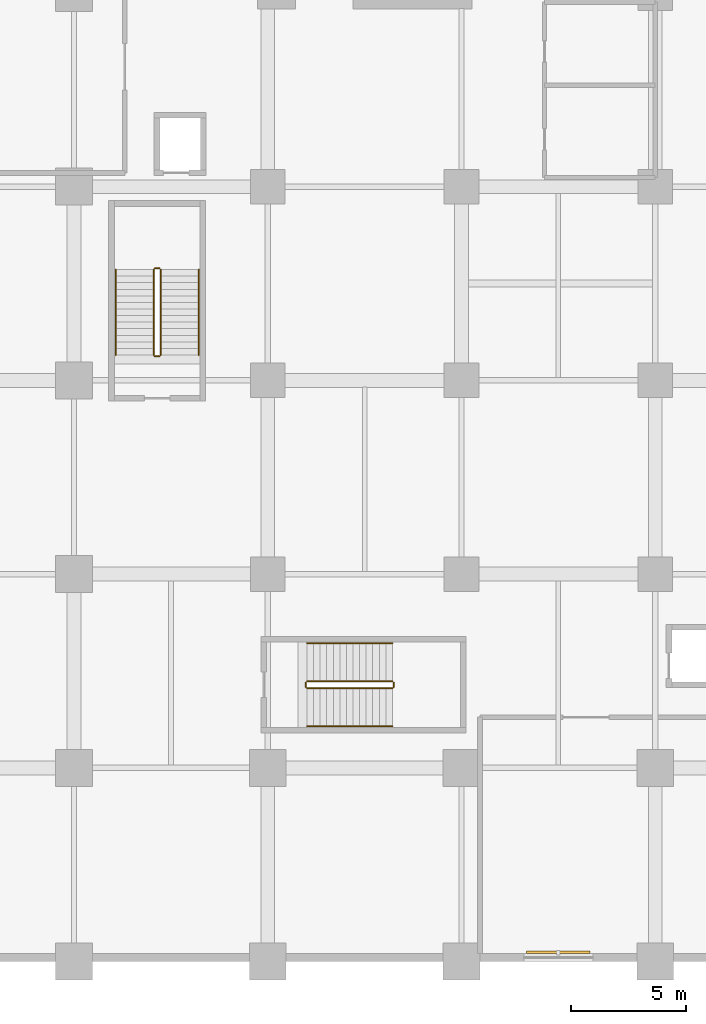
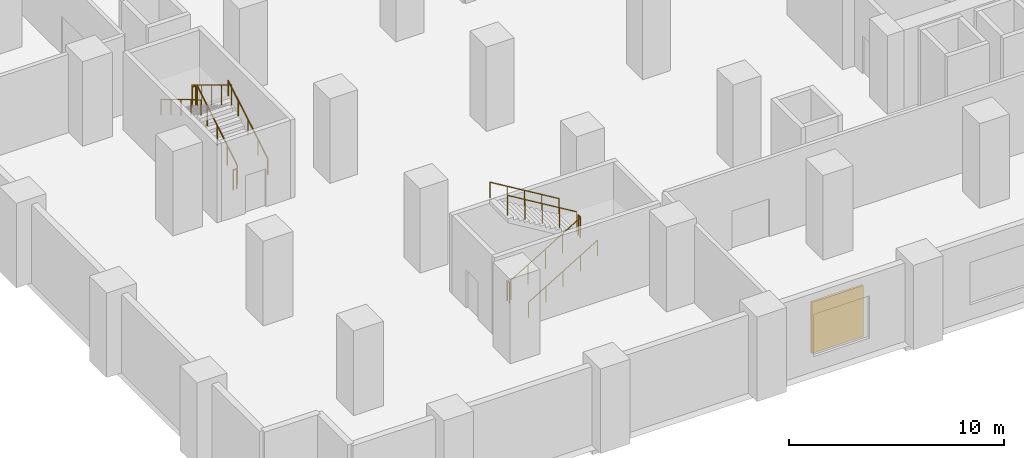
# One storey, part 19 of 22: 12 railings, 1 shading device.
"""IFC4 building model written with IfcOpenShell, lengths in metres."""

from ifc_helpers import new_model, si_unit, direction, frame, origin, origin_2d, place, context, subcontext, project, spatial, rectangle, circle, extrude, material, layer, layer_set, type_object, element, save


model = new_model("IFC4")

# Units and contexts
model_context = context("Model", 3, precision=1e-05, world=origin(), true_north=direction((0.0, 1.0)))
body_context = subcontext(model_context, "Body", "Model", "MODEL_VIEW")
ifc_project = project(units=[si_unit("LENGTHUNIT", "METRE"), si_unit("AREAUNIT", "SQUARE_METRE"), si_unit("VOLUMEUNIT", "CUBIC_METRE"), si_unit("PLANEANGLEUNIT", "RADIAN"), si_unit("MASSUNIT", "GRAM", prefix="KILO")], contexts=[model_context])

# Site, building, storey
site_placement = place(None, origin())
site = spatial("IfcSite", under=ifc_project, at=site_placement, CompositionType="ELEMENT")
building_placement = place(site_placement, origin())
building = spatial("IfcBuilding", under=site, at=building_placement, Name="Koriwani Terraces Tower", CompositionType="ELEMENT")
storey_placement = place(building_placement, frame((0.0, 0.0, 10.800048828125)))
storey = spatial("IfcBuildingStorey", under=building, at=storey_placement, Name="L02", CompositionType="ELEMENT", Elevation=10.800048828125)

# Railings
ifc_material_1 = material(Name="Steel ASTM A572 Grade 50", Category="steel")
railing_type_1 = type_object("IfcRailingType", Name="GUARD_STAIR_WELL_1120", PredefinedType="GUARDRAIL", material=ifc_material_1)
railing_1_placement = place(storey_placement, frame((12.14990234375, 26.300048828125, 0.17138671875)))
element("IfcRailing", 1, at=railing_1_placement, inside=storey, type_object=railing_type_1, Name="L02 ST-P1 stair guard 1", PredefinedType="GUARDRAIL", context=body_context, shape_type="SweptSolid", body=[
    extrude(circle(Radius=0.02392578125, at=origin_2d()), frame((0.0, 0.0, 1.1259765625), z_axis=(0.0, 0.856919398105, 0.515450429384), x_axis=(-1.0, 0.0, 0.0)), (0.0, 0.0, 1.0), 4.323486328125),
    extrude(circle(Radius=0.02099609375, at=origin_2d()), origin(), (0.0, 0.0, 1.0), 1.101806640625),
    extrude(circle(Radius=0.02099609375, at=origin_2d()), frame((0.0, 0.92626953125, 0.55712890625)), (0.0, 0.0, 1.0), 1.101806640625),
    extrude(circle(Radius=0.02099609375, at=origin_2d()), frame((0.0, 1.8525390625, 1.1142578125)), (0.0, 0.0, 1.0), 1.101806640625),
    extrude(circle(Radius=0.02099609375, at=origin_2d()), frame((0.0, 2.778564453125, 1.67138671875)), (0.0, 0.0, 1.0), 1.101806640625),
    extrude(circle(Radius=0.02099609375, at=origin_2d()), frame((0.0, 3.704833984375, 2.228515625)), (0.0, 0.0, 1.0), 1.101806640625),
])
railing_2_placement = place(storey_placement, frame((12.10009765625, 30.054931640625, 2.39990234375)))
element("IfcRailing", 2, at=railing_2_placement, inside=storey, type_object=railing_type_1, Name="L02 ST-P1 stair guard 2", PredefinedType="GUARDRAIL", context=body_context, shape_type="SweptSolid", body=[
    extrude(circle(Radius=0.02392578125, at=origin_2d()), frame((0.0, 0.0, 1.1259765625), z_axis=(-1.0, 0.0, 0.0), x_axis=(0.0, -1.0, 0.0)), (0.0, 0.0, 1.0), 0.2001953125),
    extrude(circle(Radius=0.02099609375, at=origin_2d()), origin(), (0.0, 0.0, 1.0), 1.101806640625),
    extrude(circle(Radius=0.02099609375, at=origin_2d()), frame((-0.2001953125, 0.0, 0.0)), (0.0, 0.0, 1.0), 1.101806640625),
])
railing_3_placement = place(storey_placement, frame((11.85009765625, 30.0048828125, 2.5712890625)))
element("IfcRailing", 3, at=railing_3_placement, inside=storey, type_object=railing_type_1, Name="L02 ST-P1 stair guard 3", PredefinedType="GUARDRAIL", context=body_context, shape_type="SweptSolid", body=[
    extrude(circle(Radius=0.02392578125, at=origin_2d()), frame((0.0, 0.0, 1.1259765625), z_axis=(0.0, -0.856894455432, 0.515491893485), x_axis=(1.0, 0.0, 0.0)), (0.0, 0.0, 1.0), 4.323486328125),
    extrude(circle(Radius=0.02099609375, at=origin_2d()), origin(), (0.0, 0.0, 1.0), 1.101806640625),
    extrude(circle(Radius=0.02099609375, at=origin_2d()), frame((0.0, -0.92626953125, 0.55712890625)), (0.0, 0.0, 1.0), 1.101806640625),
    extrude(circle(Radius=0.02099609375, at=origin_2d()), frame((0.0, -1.8525390625, 1.1142578125)), (0.0, 0.0, 1.0), 1.101806640625),
    extrude(circle(Radius=0.02099609375, at=origin_2d()), frame((0.0, -2.778564453125, 1.671630859375)), (0.0, 0.0, 1.0), 1.101806640625),
    extrude(circle(Radius=0.02099609375, at=origin_2d()), frame((0.0, -3.704833984375, 2.228759765625)), (0.0, 0.0, 1.0), 1.101806640625),
])
railing_4_placement = place(storey_placement, frame((12.10009765625, 26.25, 0.0)))
element("IfcRailing", 4, at=railing_4_placement, inside=storey, type_object=railing_type_1, Name="L02 ST-P1 stair guard 4", PredefinedType="GUARDRAIL", context=body_context, shape_type="SweptSolid", body=[
    extrude(circle(Radius=0.02392578125, at=origin_2d()), frame((0.0, 0.0, 1.1259765625), z_axis=(-1.0, 0.0, 0.0), x_axis=(0.0, -1.0, 0.0)), (0.0, 0.0, 1.0), 0.2001953125),
    extrude(circle(Radius=0.02099609375, at=origin_2d()), origin(), (0.0, 0.0, 1.0), 1.101806640625),
    extrude(circle(Radius=0.02099609375, at=origin_2d()), frame((-0.2001953125, 0.0, 0.0)), (0.0, 0.0, 1.0), 1.101806640625),
])
railing_5_placement = place(storey_placement, frame((18.5, 11.85009765625, 0.17138671875)))
element("IfcRailing", 5, at=railing_5_placement, inside=storey, type_object=railing_type_1, Name="L02 ST-P2 stair guard 1", PredefinedType="GUARDRAIL", context=body_context, shape_type="SweptSolid", body=[
    extrude(circle(Radius=0.02392578125, at=origin_2d()), frame((0.0, 0.0, 1.1259765625), z_axis=(0.856934400257, 0.0, 0.515425487977), x_axis=(0.0, 1.0, 0.0)), (0.0, 0.0, 1.0), 4.32373046875),
    extrude(circle(Radius=0.02099609375, at=origin_2d()), origin(), (0.0, 0.0, 1.0), 1.101806640625),
    extrude(circle(Radius=0.02099609375, at=origin_2d()), frame((0.92626953125, 0.0, 0.55712890625)), (0.0, 0.0, 1.0), 1.101806640625),
    extrude(circle(Radius=0.02099609375, at=origin_2d()), frame((1.8525390625, 0.0, 1.1142578125)), (0.0, 0.0, 1.0), 1.101806640625),
    extrude(circle(Radius=0.02099609375, at=origin_2d()), frame((2.77880859375, 0.0, 1.67138671875)), (0.0, 0.0, 1.0), 1.101806640625),
    extrude(circle(Radius=0.02099609375, at=origin_2d()), frame((3.705078125, 0.0, 2.228515625)), (0.0, 0.0, 1.0), 1.101806640625),
])
railing_6_placement = place(storey_placement, frame((22.2548828125, 11.89990234375, 2.39990234375)))
element("IfcRailing", 6, at=railing_6_placement, inside=storey, type_object=railing_type_1, Name="L02 ST-P2 stair guard 2", PredefinedType="GUARDRAIL", context=body_context, shape_type="SweptSolid", body=[
    extrude(circle(Radius=0.02392578125, at=origin_2d()), frame((0.0, 0.0, 1.1259765625), z_axis=(0.0, 1.0, 0.0), x_axis=(-1.0, 0.0, 0.0)), (0.0, 0.0, 1.0), 0.2001953125),
    extrude(circle(Radius=0.02099609375, at=origin_2d()), origin(), (0.0, 0.0, 1.0), 1.101806640625),
    extrude(circle(Radius=0.02099609375, at=origin_2d()), frame((0.0, 0.2001953125, 0.0)), (0.0, 0.0, 1.0), 1.101806640625),
])
railing_7_placement = place(storey_placement, frame((22.205078125, 12.14990234375, 2.5712890625)))
element("IfcRailing", 7, at=railing_7_placement, inside=storey, type_object=railing_type_1, Name="L02 ST-P2 stair guard 3", PredefinedType="GUARDRAIL", context=body_context, shape_type="SweptSolid", body=[
    extrude(circle(Radius=0.02392578125, at=origin_2d()), frame((0.0, 0.0, 1.1259765625), z_axis=(-0.856909459561, 0.0, 0.515466951525), x_axis=(0.0, -1.0, 0.0)), (0.0, 0.0, 1.0), 4.32373046875),
    extrude(circle(Radius=0.02099609375, at=origin_2d()), origin(), (0.0, 0.0, 1.0), 1.101806640625),
    extrude(circle(Radius=0.02099609375, at=origin_2d()), frame((-0.92626953125, 0.0, 0.55712890625)), (0.0, 0.0, 1.0), 1.101806640625),
    extrude(circle(Radius=0.02099609375, at=origin_2d()), frame((-1.8525390625, 0.0, 1.1142578125)), (0.0, 0.0, 1.0), 1.101806640625),
    extrude(circle(Radius=0.02099609375, at=origin_2d()), frame((-2.77880859375, 0.0, 1.671630859375)), (0.0, 0.0, 1.0), 1.101806640625),
    extrude(circle(Radius=0.02099609375, at=origin_2d()), frame((-3.705078125, 0.0, 2.228759765625)), (0.0, 0.0, 1.0), 1.101806640625),
])
railing_8_placement = place(storey_placement, frame((18.449951171875, 11.89990234375, 0.0)))
element("IfcRailing", 8, at=railing_8_placement, inside=storey, type_object=railing_type_1, Name="L02 ST-P2 stair guard 4", PredefinedType="GUARDRAIL", context=body_context, shape_type="SweptSolid", body=[
    extrude(circle(Radius=0.02392578125, at=origin_2d()), frame((0.0, 0.0, 1.1259765625), z_axis=(0.0, 1.0, 0.0), x_axis=(-1.0, 0.0, 0.0)), (0.0, 0.0, 1.0), 0.2001953125),
    extrude(circle(Radius=0.02099609375, at=origin_2d()), origin(), (0.0, 0.0, 1.0), 1.101806640625),
    extrude(circle(Radius=0.02099609375, at=origin_2d()), frame((0.0, 0.2001953125, 0.0)), (0.0, 0.0, 1.0), 1.101806640625),
])
railing_type_2 = type_object("IfcRailingType", Name="HANDRAIL_STAIR_920", PredefinedType="HANDRAIL", material=ifc_material_1)
railing_9_placement = place(storey_placement, frame((13.800048828125, 26.300048828125, 0.17138671875)))
element("IfcRailing", 9, at=railing_9_placement, inside=storey, type_object=railing_type_2, Name="L02 ST-P1 stair handrail 1", PredefinedType="HANDRAIL", context=body_context, shape_type="SweptSolid", body=[
    extrude(circle(Radius=0.02392578125, at=origin_2d()), frame((0.0, 0.0, 0.8759765625), z_axis=(0.0, 0.856919398105, 0.515450429384), x_axis=(-1.0, 0.0, 0.0)), (0.0, 0.0, 1.0), 4.323486328125),
    extrude(circle(Radius=0.02099609375, at=origin_2d()), origin(), (0.0, 0.0, 1.0), 0.851806640625),
    extrude(circle(Radius=0.02099609375, at=origin_2d()), frame((0.0, 0.92626953125, 0.55712890625)), (0.0, 0.0, 1.0), 0.851806640625),
    extrude(circle(Radius=0.02099609375, at=origin_2d()), frame((0.0, 1.8525390625, 1.1142578125)), (0.0, 0.0, 1.0), 0.851806640625),
    extrude(circle(Radius=0.02099609375, at=origin_2d()), frame((0.0, 2.778564453125, 1.67138671875)), (0.0, 0.0, 1.0), 0.851806640625),
    extrude(circle(Radius=0.02099609375, at=origin_2d()), frame((0.0, 3.704833984375, 2.228515625)), (0.0, 0.0, 1.0), 0.851806640625),
])
railing_10_placement = place(storey_placement, frame((10.199951171875, 30.0048828125, 2.5712890625)))
element("IfcRailing", 10, at=railing_10_placement, inside=storey, type_object=railing_type_2, Name="L02 ST-P1 stair handrail 2", PredefinedType="HANDRAIL", context=body_context, shape_type="SweptSolid", body=[
    extrude(circle(Radius=0.02392578125, at=origin_2d()), frame((0.0, 0.0, 0.8759765625), z_axis=(0.0, -0.856894455432, 0.515491893485), x_axis=(1.0, 0.0, 0.0)), (0.0, 0.0, 1.0), 4.323486328125),
    extrude(circle(Radius=0.02099609375, at=origin_2d()), origin(), (0.0, 0.0, 1.0), 0.851806640625),
    extrude(circle(Radius=0.02099609375, at=origin_2d()), frame((0.0, -0.92626953125, 0.55712890625)), (0.0, 0.0, 1.0), 0.851806640625),
    extrude(circle(Radius=0.02099609375, at=origin_2d()), frame((0.0, -1.8525390625, 1.1142578125)), (0.0, 0.0, 1.0), 0.851806640625),
    extrude(circle(Radius=0.02099609375, at=origin_2d()), frame((0.0, -2.778564453125, 1.671630859375)), (0.0, 0.0, 1.0), 0.851806640625),
    extrude(circle(Radius=0.02099609375, at=origin_2d()), frame((0.0, -3.704833984375, 2.228759765625)), (0.0, 0.0, 1.0), 0.851806640625),
])
railing_11_placement = place(storey_placement, frame((18.5, 10.199951171875, 0.17138671875)))
element("IfcRailing", 11, at=railing_11_placement, inside=storey, type_object=railing_type_2, Name="L02 ST-P2 stair handrail 1", PredefinedType="HANDRAIL", context=body_context, shape_type="SweptSolid", body=[
    extrude(circle(Radius=0.02392578125, at=origin_2d()), frame((0.0, 0.0, 0.8759765625), z_axis=(0.856934400257, 0.0, 0.515425487977), x_axis=(0.0, 1.0, 0.0)), (0.0, 0.0, 1.0), 4.32373046875),
    extrude(circle(Radius=0.02099609375, at=origin_2d()), origin(), (0.0, 0.0, 1.0), 0.851806640625),
    extrude(circle(Radius=0.02099609375, at=origin_2d()), frame((0.92626953125, 0.0, 0.55712890625)), (0.0, 0.0, 1.0), 0.851806640625),
    extrude(circle(Radius=0.02099609375, at=origin_2d()), frame((1.8525390625, 0.0, 1.1142578125)), (0.0, 0.0, 1.0), 0.851806640625),
    extrude(circle(Radius=0.02099609375, at=origin_2d()), frame((2.77880859375, 0.0, 1.67138671875)), (0.0, 0.0, 1.0), 0.851806640625),
    extrude(circle(Radius=0.02099609375, at=origin_2d()), frame((3.705078125, 0.0, 2.228515625)), (0.0, 0.0, 1.0), 0.851806640625),
])
railing_12_placement = place(storey_placement, frame((22.205078125, 13.800048828125, 2.5712890625)))
element("IfcRailing", 12, at=railing_12_placement, inside=storey, type_object=railing_type_2, Name="L02 ST-P2 stair handrail 2", PredefinedType="HANDRAIL", context=body_context, shape_type="SweptSolid", body=[
    extrude(circle(Radius=0.02392578125, at=origin_2d()), frame((0.0, 0.0, 0.8759765625), z_axis=(-0.856909459561, 0.0, 0.515466951525), x_axis=(0.0, -1.0, 0.0)), (0.0, 0.0, 1.0), 4.32373046875),
    extrude(circle(Radius=0.02099609375, at=origin_2d()), origin(), (0.0, 0.0, 1.0), 0.851806640625),
    extrude(circle(Radius=0.02099609375, at=origin_2d()), frame((-0.92626953125, 0.0, 0.55712890625)), (0.0, 0.0, 1.0), 0.851806640625),
    extrude(circle(Radius=0.02099609375, at=origin_2d()), frame((-1.8525390625, 0.0, 1.1142578125)), (0.0, 0.0, 1.0), 0.851806640625),
    extrude(circle(Radius=0.02099609375, at=origin_2d()), frame((-2.77880859375, 0.0, 1.671630859375)), (0.0, 0.0, 1.0), 0.851806640625),
    extrude(circle(Radius=0.02099609375, at=origin_2d()), frame((-3.705078125, 0.0, 2.228759765625)), (0.0, 0.0, 1.0), 0.851806640625),
])

# Shading device
ifc_material_2 = material(Name="Extruded Terracotta Clay", Category="masonry")
ifc_layer = layer(ifc_material_2, 0.1201171875, Name="Extruded Terracotta Clay")
ifc_layer_set = layer_set([ifc_layer], Name="Extruded Terracotta Clay")
shading_device_type = type_object("IfcShadingDeviceType", Name="TERRACOTTA_BAGUETTE_SCREEN_2800", PredefinedType="USERDEFINED", material=ifc_layer_set)
shading_device_placement = place(storey_placement, frame((29.39990234375, 0.405029296875, 0.77490234375), z_axis=(0.0, 0.0, 1.0), x_axis=(-1.0, 0.0, 0.0)))
element("IfcShadingDevice", 13, at=shading_device_placement, inside=storey, type_object=shading_device_type, Name="L02 Extruded Terracotta Baguette Screen (S-9)", ObjectType="BAGUETTE", PredefinedType="USERDEFINED", context=body_context, shape_type="SweptSolid", body=[
    extrude(rectangle(XDim=2.760009765625, YDim=0.1201171875, at=origin_2d()), origin(), (0.0, 0.0, 1.0), 2.89990234375),
])

save(model, "model.ifc")
